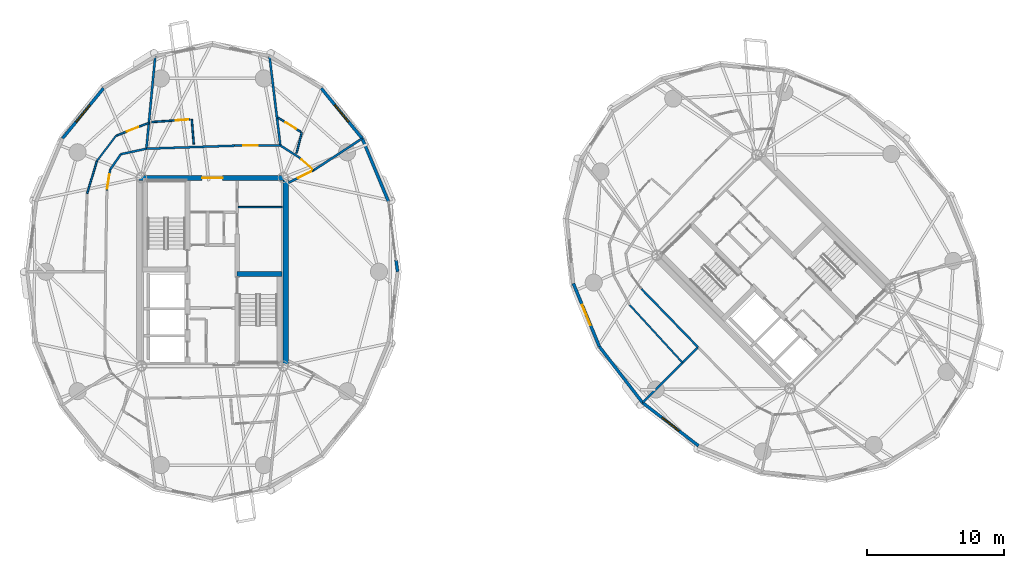
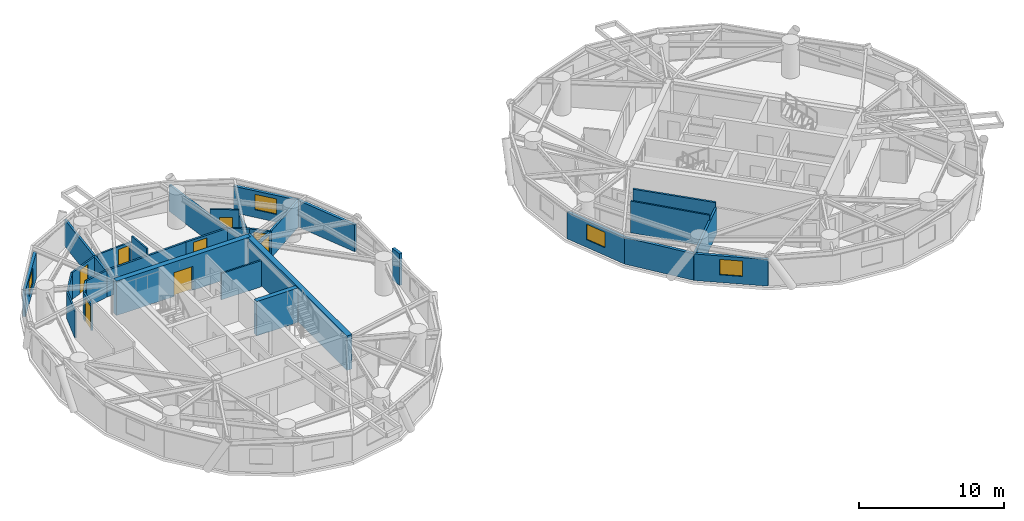
# One storey, part 11 of 17: 32 walls, 8 doors, 4 windows, 12 openings.
"""IFC4 building model written with IfcOpenShell, lengths in metres."""

from ifc_helpers import new_model, si_unit, direction, frame, frame_2d, origin, place, context, subcontext, project, spatial, rectangle, extrude, source, transform, mapped, material, layer, layer_set, type_object, element, fill, save


model = new_model("IFC4")

# Units and contexts
model_context = context("Model", 3, precision=1e-05, world=origin(), true_north=direction((0.0, 1.0)))
body_context = subcontext(model_context, "Body", "Model", "MODEL_VIEW")
ifc_project = project(units=[si_unit("LENGTHUNIT", "METRE"), si_unit("AREAUNIT", "SQUARE_METRE"), si_unit("VOLUMEUNIT", "CUBIC_METRE"), si_unit("PLANEANGLEUNIT", "RADIAN"), si_unit("MASSUNIT", "GRAM", prefix="KILO")], contexts=[model_context])

# Site, building, storey
site_placement = place(None, origin())
site = spatial("IfcSite", under=ifc_project, at=site_placement, CompositionType="ELEMENT")
building_placement = place(site_placement, origin())
building = spatial("IfcBuilding", under=site, at=building_placement, Name="Cununo Teusaquillo Station Towers", CompositionType="ELEMENT")
storey_placement = place(building_placement, frame((0.0, 0.0, 183.610107421875)))
storey = spatial("IfcBuildingStorey", under=building, at=storey_placement, Name="L58", CompositionType="ELEMENT", Elevation=183.610107421875)

# Walls
ifc_material_1 = material(Name="Concrete C50/60", Category="concrete")
ifc_layer_1 = layer(ifc_material_1, 0.35009765625)
ifc_layer_set_1 = layer_set([ifc_layer_1], Name="Concrete C50/60")
wall_type_1 = type_object("IfcWallType", Name="WL-CORE-350", PredefinedType="SHEAR", material=ifc_layer_set_1)
wall_1_placement = place(storey_placement, frame((18.31494140625, 24.344970703125, 0.0), z_axis=(0.0, 0.0, 1.0), x_axis=(1.0, 0.0, 0.0)))
element("IfcWall", 1, at=wall_1_placement, inside=storey, type_object=wall_type_1, Name="L58 Tower A Core Shear Wall ST2N", PredefinedType="SHEAR", context=body_context, shape_type="SweptSolid", body=[
    extrude(rectangle(XDim=3.28515625, YDim=0.35009765625, at=frame_2d((1.642578125, 0.0))), origin(), (0.0, 0.0, 1.0), 2.909912109375),
])
ifc_material_2 = material(Name="Concrete C50/60", Category="concrete")
ifc_layer_2 = layer(ifc_material_2, 0.39990234375)
ifc_layer_set_2 = layer_set([ifc_layer_2], Name="Concrete C50/60")
wall_type_2 = type_object("IfcWallType", Name="WL-CORE-400", PredefinedType="SHEAR", material=ifc_layer_set_2)
wall_2_placement = place(storey_placement, frame((21.85009765625, 17.449951171875, 0.0), z_axis=(0.0, 0.0, 1.0), x_axis=(0.0, 1.0, 0.0)))
element("IfcWall", 2, at=wall_2_placement, inside=storey, type_object=wall_type_2, Name="L58 Tower A Core Shear Wall E", PredefinedType="SHEAR", context=body_context, shape_type="SweptSolid", body=[
    extrude(rectangle(XDim=14.10009765625, YDim=0.39990234375, at=frame_2d((7.050048828125, 0.0))), origin(), (0.0, 0.0, 1.0), 2.909912109375),
])

# Wall, opening, door
wall_3_placement = place(storey_placement, frame((11.14990234375, 31.35009765625, 0.0), z_axis=(0.0, 0.0, 1.0), x_axis=(1.0, 0.0, 0.0)))
wall_3 = element("IfcWall", 3, at=wall_3_placement, inside=storey, type_object=wall_type_2, Name="L58 Tower A Core Shear Wall N", PredefinedType="SHEAR", context=body_context, shape_type="SweptSolid", body=[
    extrude(rectangle(XDim=10.7001953125, YDim=0.39990234375, at=frame_2d((5.35009765625, 0.0))), origin(), (0.0, 0.0, 1.0), 2.909912109375),
])
shared_shape_1 = source(origin(), body_context, "Body", "SweptSolid", [
    extrude(rectangle(XDim=1.5, YDim=2.02001953125, at=frame_2d((0.75, 1.010009765625))), frame((0.0, 0.2099609375, 0.0), z_axis=(0.0, -1.0, 0.0), x_axis=(1.0, 0.0, 0.0)), (0.0, 0.0, 1.0), 0.419921875),
])
opening_1_placement = place(wall_3_placement, frame((4.60009765625, 0.0, 0.0)))
opening_1 = element("IfcOpeningElement", 4, at=opening_1_placement, cuts=wall_3, Name="Opening D-LB1", PredefinedType="OPENING", context=body_context, shape_type="MappedRepresentation", body=[
    mapped(shared_shape_1, transform((0.0, 0.0, 0.0), x_axis=(1.0, 0.0, 0.0), y_axis=(0.0, 1.0, 0.0), z_axis=(0.0, 0.0, 1.0), scale=1.0)),
])
ifc_material_3 = material(Name="Galvanised fire-rated hollow steel door assembly", Category="steel")
door_type_1 = type_object("IfcDoorType", Name="DR-LOBBY-1500", OperationType="DOUBLE_DOOR_SINGLE_SWING", PredefinedType="DOOR", material=ifc_material_3)
shared_shape_2 = source(origin(), body_context, "Body", "SweptSolid", [
    extrude(rectangle(XDim=1.5, YDim=2.02001953125, at=frame_2d((0.75, 1.010009765625))), frame((0.0, 0.02490234375, 0.0), z_axis=(0.0, -1.0, 0.0), x_axis=(1.0, 0.0, 0.0)), (0.0, 0.0, 1.0), 0.050048828125),
])
door_1_placement = place(opening_1_placement, origin())
door_1 = element("IfcDoor", 5, at=door_1_placement, inside=storey, type_object=door_type_1, Name="L58 Tower A North Core Lift Lobby Door", OperationType="DOUBLE_DOOR_SINGLE_SWING", OverallHeight=2.02001953125, OverallWidth=1.5, PredefinedType="DOOR", context=body_context, shape_type="MappedRepresentation", body=[
    mapped(shared_shape_2, transform((0.0, 0.0, 0.0), x_axis=(1.0, 0.0, 0.0), y_axis=(0.0, 1.0, 0.0), z_axis=(0.0, 0.0, 1.0), scale=1.0)),
])
fill(opening_1, door_1)

# Walls
ifc_material_4 = material(Name="Precast concrete C40/50", Category="concrete")
ifc_layer_3 = layer(ifc_material_4, 0.219970703125)
ifc_layer_set_3 = layer_set([ifc_layer_3], Name="Precast concrete C40/50")
wall_type_3 = type_object("IfcWallType", Name="WL-EXT-220", PredefinedType="SOLIDWALL", material=ifc_layer_set_3)
wall_4_placement = place(storey_placement, frame((29.91943359375, 25.36279296875, 0.0), z_axis=(0.0, 0.0, 1.0), x_axis=(0.128247365719, -0.991742211054, 0.0)))
element("IfcWall", 6, at=wall_4_placement, inside=storey, type_object=wall_type_3, Name="L58 Tower A Column Pier Cladding Wall C00-PB", PredefinedType="SOLIDWALL", context=body_context, shape_type="SweptSolid", body=[
    extrude(rectangle(XDim=0.869873046875, YDim=0.219970703125, at=frame_2d((0.43505859375, 0.0))), origin(), (0.0, 0.0, 1.0), 2.6748046875),
])
wall_5_placement = place(storey_placement, frame((27.44677734375, 34.239501953125, 0.0), z_axis=(0.0, 0.0, 1.0), x_axis=(0.384144094086, -0.923273152961, 0.0)))
element("IfcWall", 7, at=wall_5_placement, inside=storey, type_object=wall_type_3, Name="L58 Tower A Exterior Facade Wall C01", PredefinedType="SOLIDWALL", context=body_context, shape_type="SweptSolid", body=[
    extrude(rectangle(XDim=5.0029296875, YDim=0.219970703125, at=frame_2d((2.50146484375, 0.0))), origin(), (0.0, 0.0, 1.0), 2.244873046875),
])

# Wall, opening, window
wall_6_placement = place(storey_placement, frame((24.453369140625, 37.905517578125, 0.0), z_axis=(0.0, 0.0, 1.0), x_axis=(0.632470615287, -0.774584353572, 0.0)))
wall_6 = element("IfcWall", 8, at=wall_6_placement, inside=storey, type_object=wall_type_3, Name="L58 Tower A Exterior Facade Wall C02", PredefinedType="SOLIDWALL", context=body_context, shape_type="SweptSolid", body=[
    extrude(rectangle(XDim=4.73291015625, YDim=0.219970703125, at=frame_2d((2.366455078125, 0.0))), origin(), (0.0, 0.0, 1.0), 2.244873046875),
])
shared_shape_3 = source(origin(), body_context, "Body", "SweptSolid", [
    extrude(rectangle(XDim=1.60009765625, YDim=1.300048828125, at=frame_2d((0.800048828125, 0.64990234375))), frame((0.0, 0.119873046875, 0.0), z_axis=(0.0, -1.0, 0.0), x_axis=(1.0, 0.0, 0.0)), (0.0, 0.0, 1.0), 0.239990234375),
])
opening_2_placement = place(wall_6_placement, frame((1.56591796875, 0.0, 0.64990234375)))
opening_2 = element("IfcOpeningElement", 9, at=opening_2_placement, cuts=wall_6, Name="Opening WN-03", PredefinedType="OPENING", context=body_context, shape_type="MappedRepresentation", body=[
    mapped(shared_shape_3, transform((0.0, 0.0, 0.0), x_axis=(1.0, 0.0, 0.0), y_axis=(0.0, 1.0, 0.0), z_axis=(0.0, 0.0, 1.0), scale=1.0)),
])
ifc_material_5 = material(Name="Ceramic-fritted dark low-E double glazing", Category="glass")
window_type = type_object("IfcWindowType", Name="WIN-CORN-1600", PartitioningType="SINGLE_PANEL", PredefinedType="WINDOW", material=ifc_material_5)
shared_shape_4 = source(origin(), body_context, "Body", "SweptSolid", [
    extrude(rectangle(XDim=1.60009765625, YDim=1.300048828125, at=frame_2d((0.800048828125, 0.64990234375))), frame((0.0, 0.030029296875, 0.0), z_axis=(0.0, -1.0, 0.0), x_axis=(1.0, 0.0, 0.0)), (0.0, 0.0, 1.0), 0.06005859375),
])
window_1_placement = place(opening_2_placement, origin())
window_1 = element("IfcWindow", 10, at=window_1_placement, inside=storey, type_object=window_type, Name="L58 Tower A Facade Window C02", OverallHeight=1.300048828125, OverallWidth=1.60009765625, PartitioningType="SINGLE_PANEL", PredefinedType="WINDOW", context=body_context, shape_type="MappedRepresentation", body=[
    mapped(shared_shape_4, transform((0.0, 0.0, 0.0), x_axis=(1.0, 0.0, 0.0), y_axis=(0.0, 1.0, 0.0), z_axis=(0.0, 0.0, 1.0), scale=1.0)),
])
fill(opening_2, window_1)

wall_7_placement = place(storey_placement, frame((5.55322265625, 34.239501953125, 0.0), z_axis=(0.0, 0.0, 1.0), x_axis=(0.632470615287, 0.774584353572, 0.0)))
wall_7 = element("IfcWall", 11, at=wall_7_placement, inside=storey, type_object=wall_type_3, Name="L58 Tower A Exterior Facade Wall C07", PredefinedType="SOLIDWALL", context=body_context, shape_type="SweptSolid", body=[
    extrude(rectangle(XDim=4.73291015625, YDim=0.219970703125, at=frame_2d((2.366455078125, 0.0))), origin(), (0.0, 0.0, 1.0), 2.244873046875),
])
opening_3_placement = place(wall_7_placement, frame((1.56591796875, 0.0, 0.64990234375)))
opening_3 = element("IfcOpeningElement", 12, at=opening_3_placement, cuts=wall_7, Name="Opening WN-03", PredefinedType="OPENING", context=body_context, shape_type="MappedRepresentation", body=[
    mapped(shared_shape_3, transform((0.0, 0.0, 0.0), x_axis=(1.0, 0.0, 0.0), y_axis=(0.0, 1.0, 0.0), z_axis=(0.0, 0.0, 1.0), scale=1.0)),
])
window_2_placement = place(opening_3_placement, origin())
window_2 = element("IfcWindow", 13, at=window_2_placement, inside=storey, type_object=window_type, Name="L58 Tower A Facade Window C07", OverallHeight=1.300048828125, OverallWidth=1.60009765625, PartitioningType="SINGLE_PANEL", PredefinedType="WINDOW", context=body_context, shape_type="MappedRepresentation", body=[
    mapped(shared_shape_4, transform((0.0, 0.0, 0.0), x_axis=(1.0, 0.0, 0.0), y_axis=(0.0, 1.0, 0.0), z_axis=(0.0, 0.0, 1.0), scale=1.0)),
])
fill(opening_3, window_2)

wall_8_placement = place(storey_placement, frame((44.77978515625, 19.02099609375, 0.0), z_axis=(0.0, 0.0, 1.0), x_axis=(-0.381196434348, 0.924494066201, 0.0)))
wall_8 = element("IfcWall", 14, at=wall_8_placement, inside=storey, type_object=wall_type_3, Name="L58 Tower B Exterior Facade Wall C08", PredefinedType="SOLIDWALL", context=body_context, shape_type="SweptSolid", body=[
    extrude(rectangle(XDim=5.003173828125, YDim=0.219970703125, at=frame_2d((2.50146484375, 0.0))), origin(), (0.0, 0.0, 1.0), 2.244873046875),
])
opening_4_placement = place(wall_8_placement, frame((1.701904296875, 0.0, 0.64990234375)))
opening_4 = element("IfcOpeningElement", 15, at=opening_4_placement, cuts=wall_8, Name="Opening WN-03", PredefinedType="OPENING", context=body_context, shape_type="MappedRepresentation", body=[
    mapped(shared_shape_3, transform((0.0, 0.0, 0.0), x_axis=(1.0, 0.0, 0.0), y_axis=(0.0, 1.0, 0.0), z_axis=(0.0, 0.0, 1.0), scale=1.0)),
])
window_3_placement = place(opening_4_placement, origin())
window_3 = element("IfcWindow", 16, at=window_3_placement, inside=storey, type_object=window_type, Name="L58 Tower B Facade Window C08", OverallHeight=1.300048828125, OverallWidth=1.60009765625, PartitioningType="SINGLE_PANEL", PredefinedType="WINDOW", context=body_context, shape_type="MappedRepresentation", body=[
    mapped(shared_shape_4, transform((0.0, 0.0, 0.0), x_axis=(1.0, 0.0, 0.0), y_axis=(0.0, 1.0, 0.0), z_axis=(0.0, 0.0, 1.0), scale=1.0)),
])
fill(opening_4, window_3)

# Wall
wall_9_placement = place(storey_placement, frame((47.93212890625, 14.93212890625, 0.0), z_axis=(0.0, 0.0, 1.0), x_axis=(-0.610569654715, 0.791962560189, 0.0)))
element("IfcWall", 17, at=wall_9_placement, inside=storey, type_object=wall_type_3, Name="L58 Tower B Exterior Facade Wall C09", PredefinedType="SOLIDWALL", context=body_context, shape_type="SweptSolid", body=[
    extrude(rectangle(XDim=5.162841796875, YDim=0.219970703125, at=frame_2d((2.58154296875, 0.0))), origin(), (0.0, 0.0, 1.0), 2.244873046875),
])

# Wall, opening, window
wall_10_placement = place(storey_placement, frame((52.02099609375, 11.77978515625, 0.0), z_axis=(0.0, 0.0, 1.0), x_axis=(-0.791962560189, 0.610569654715, 0.0)))
wall_10 = element("IfcWall", 18, at=wall_10_placement, inside=storey, type_object=wall_type_3, Name="L58 Tower B Exterior Facade Wall C10", PredefinedType="SOLIDWALL", context=body_context, shape_type="SweptSolid", body=[
    extrude(rectangle(XDim=5.162841796875, YDim=0.219970703125, at=frame_2d((2.58154296875, 0.0))), origin(), (0.0, 0.0, 1.0), 2.244873046875),
])
opening_5_placement = place(wall_10_placement, frame((1.781982421875, 0.0, 0.64990234375)))
opening_5 = element("IfcOpeningElement", 19, at=opening_5_placement, cuts=wall_10, Name="Opening WN-03", PredefinedType="OPENING", context=body_context, shape_type="MappedRepresentation", body=[
    mapped(shared_shape_3, transform((0.0, 0.0, 0.0), x_axis=(1.0, 0.0, 0.0), y_axis=(0.0, 1.0, 0.0), z_axis=(0.0, 0.0, 1.0), scale=1.0)),
])
window_4_placement = place(opening_5_placement, origin())
window_4 = element("IfcWindow", 20, at=window_4_placement, inside=storey, type_object=window_type, Name="L58 Tower B Facade Window C10", OverallHeight=1.300048828125, OverallWidth=1.60009765625, PartitioningType="SINGLE_PANEL", PredefinedType="WINDOW", context=body_context, shape_type="MappedRepresentation", body=[
    mapped(shared_shape_4, transform((0.0, 0.0, 0.0), x_axis=(1.0, 0.0, 0.0), y_axis=(0.0, 1.0, 0.0), z_axis=(0.0, 0.0, 1.0), scale=1.0)),
])
fill(opening_5, window_4)

# Walls
ifc_material_6 = material(Name="Fire-rated gypsum plasterboard partition assembly", Category="gypsum")
ifc_layer_4 = layer(ifc_material_6, 0.125)
ifc_layer_set_4 = layer_set([ifc_layer_4], Name="Fire-rated gypsum plasterboard partition assembly")
wall_type_4 = type_object("IfcWallType", Name="WL-PART-125", PredefinedType="PARTITIONING", material=ifc_layer_set_4)
wall_11_placement = place(storey_placement, frame((18.3798828125, 29.219970703125, 0.0), z_axis=(0.0, 0.0, 1.0), x_axis=(1.0, 0.0, 0.0)))
element("IfcWall", 21, at=wall_11_placement, inside=storey, type_object=wall_type_4, Name="L58 Tower A Reclaimed Bay Divider Wall", PredefinedType="PARTITIONING", context=body_context, shape_type="SweptSolid", body=[
    extrude(rectangle(XDim=3.22021484375, YDim=0.125, at=frame_2d((1.610107421875, 0.0))), origin(), (0.0, 0.0, 1.0), 2.2119140625),
])
wall_12_placement = place(storey_placement, frame((22.6494140625, 33.1572265625, 0.0), z_axis=(0.0, 0.0, 1.0), x_axis=(0.242461964074, 0.970160912415, 0.0)))
element("IfcWall", 22, at=wall_12_placement, inside=storey, type_object=wall_type_4, Name="L58 Tower A S01 En-suite Side Wall", PredefinedType="PARTITIONING", context=body_context, shape_type="SweptSolid", body=[
    extrude(rectangle(XDim=1.559814453125, YDim=0.125, at=frame_2d((0.77978515625, 0.0))), origin(), (0.0, 0.0, 1.0), 2.244873046875),
])

# Wall, opening, door
wall_13_placement = place(storey_placement, frame((22.974853515625, 34.70361328125, 0.0), z_axis=(0.0, 0.0, 1.0), x_axis=(-0.84683355027, 0.531858005615, 0.0)))
wall_13 = element("IfcWall", 23, at=wall_13_placement, inside=storey, type_object=wall_type_4, Name="L58 Tower A S01 En-suite Back Wall", PredefinedType="PARTITIONING", context=body_context, shape_type="SweptSolid", body=[
    extrude(rectangle(XDim=1.99365234375, YDim=0.125, at=frame_2d((0.996826171875, 0.0))), origin(), (0.0, 0.0, 1.0), 2.6748046875),
])
shared_shape_5 = source(origin(), body_context, "Body", "SweptSolid", [
    extrude(rectangle(XDim=0.89990234375, YDim=2.0048828125, at=frame_2d((0.449951171875, 1.00244140625))), frame((0.0, 0.072509765625, 0.0), z_axis=(0.0, -1.0, 0.0), x_axis=(1.0, 0.0, 0.0)), (0.0, 0.0, 1.0), 0.14501953125),
])
opening_6_placement = place(wall_13_placement, frame((0.440185546875, 0.0, 0.0)))
opening_6 = element("IfcOpeningElement", 24, at=opening_6_placement, cuts=wall_13, Name="Opening D-IN1", PredefinedType="OPENING", context=body_context, shape_type="MappedRepresentation", body=[
    mapped(shared_shape_5, transform((0.0, 0.0, 0.0), x_axis=(1.0, 0.0, 0.0), y_axis=(0.0, 1.0, 0.0), z_axis=(0.0, 0.0, 1.0), scale=1.0)),
])
ifc_material_7 = material(Name="Acoustic solid-core hardwood leaf assembly", Category="wood")
door_type_2 = type_object("IfcDoorType", Name="DR-INT-900", OperationType="NOTDEFINED", PredefinedType="DOOR", material=ifc_material_7)
shared_shape_6 = source(origin(), body_context, "Body", "SweptSolid", [
    extrude(rectangle(XDim=0.89990234375, YDim=2.0048828125, at=frame_2d((0.449951171875, 1.00244140625))), frame((0.0, 0.02490234375, 0.0), z_axis=(0.0, -1.0, 0.0), x_axis=(1.0, 0.0, 0.0)), (0.0, 0.0, 1.0), 0.050048828125),
])
door_2_placement = place(opening_6_placement, origin())
door_2 = element("IfcDoor", 25, at=door_2_placement, inside=storey, type_object=door_type_2, Name="L58 Tower A S01 En-suite Bathroom Door", OperationType="SINGLE_SWING_RIGHT", OverallHeight=2.0048828125, OverallWidth=0.89990234375, PredefinedType="DOOR", context=body_context, shape_type="MappedRepresentation", body=[
    mapped(shared_shape_6, transform((0.0, 0.0, 0.0), x_axis=(1.0, 0.0, 0.0), y_axis=(0.0, 1.0, 0.0), z_axis=(0.0, 0.0, 1.0), scale=1.0)),
])
fill(opening_6, door_2)

# Wall
wall_14_placement = place(storey_placement, frame((15.14208984375, 33.8203125, 0.0), z_axis=(0.0, 0.0, 1.0), x_axis=(-0.081791493646, 0.996649462734, 0.0)))
element("IfcWall", 26, at=wall_14_placement, inside=storey, type_object=wall_type_4, Name="L58 Tower A S02 En-suite Side Wall", PredefinedType="PARTITIONING", context=body_context, shape_type="SweptSolid", body=[
    extrude(rectangle(XDim=1.82080078125, YDim=0.125, at=frame_2d((0.910400390625, 0.0))), origin(), (0.0, 0.0, 1.0), 2.6748046875),
])

# Wall, opening, door
wall_15_placement = place(storey_placement, frame((14.848388671875, 35.625244140625, 0.0), z_axis=(0.0, 0.0, 1.0), x_axis=(-0.997750908336, -0.067030775874, 0.0)))
wall_15 = element("IfcWall", 27, at=wall_15_placement, inside=storey, type_object=wall_type_4, Name="L58 Tower A S02 En-suite Back Wall", PredefinedType="PARTITIONING", context=body_context, shape_type="SweptSolid", body=[
    extrude(rectangle(XDim=2.786376953125, YDim=0.125, at=frame_2d((1.39306640625, 0.0))), origin(), (0.0, 0.0, 1.0), 2.244873046875),
])
opening_7_placement = place(wall_15_placement, frame((0.1201171875, 0.0, 0.0)))
opening_7 = element("IfcOpeningElement", 28, at=opening_7_placement, cuts=wall_15, Name="Opening D-IN1", PredefinedType="OPENING", context=body_context, shape_type="MappedRepresentation", body=[
    mapped(shared_shape_5, transform((0.0, 0.0, 0.0), x_axis=(1.0, 0.0, 0.0), y_axis=(0.0, 1.0, 0.0), z_axis=(0.0, 0.0, 1.0), scale=1.0)),
])
door_3_placement = place(opening_7_placement, origin())
door_3 = element("IfcDoor", 29, at=door_3_placement, inside=storey, type_object=door_type_2, Name="L58 Tower A S02 En-suite Bathroom Door", OperationType="SINGLE_SWING_RIGHT", OverallHeight=2.0048828125, OverallWidth=0.89990234375, PredefinedType="DOOR", context=body_context, shape_type="MappedRepresentation", body=[
    mapped(shared_shape_6, transform((0.0, 0.0, 0.0), x_axis=(1.0, 0.0, 0.0), y_axis=(0.0, 1.0, 0.0), z_axis=(0.0, 0.0, 1.0), scale=1.0)),
])
fill(opening_7, door_3)

wall_16_placement = place(storey_placement, frame((11.861328125, 35.379638671875, 0.0), z_axis=(0.0, 0.0, 1.0), x_axis=(-0.930124609977, -0.367244074037, 0.0)))
wall_16 = element("IfcWall", 30, at=wall_16_placement, inside=storey, type_object=wall_type_4, Name="L58 Tower A Hotel Tea & Cigar Conservatory Concentric Partition Wall C06", PredefinedType="PARTITIONING", context=body_context, shape_type="SweptSolid", body=[
    extrude(rectangle(XDim=2.580810546875, YDim=0.125, at=frame_2d((1.29052734375, 0.0))), origin(), (0.0, 0.0, 1.0), 2.244873046875),
])
opening_8_placement = place(wall_16_placement, frame((0.84033203125, 0.0, 0.0)))
opening_8 = element("IfcOpeningElement", 31, at=opening_8_placement, cuts=wall_16, Name="Opening D-IN1", PredefinedType="OPENING", context=body_context, shape_type="MappedRepresentation", body=[
    mapped(shared_shape_5, transform((0.0, 0.0, 0.0), x_axis=(1.0, 0.0, 0.0), y_axis=(0.0, 1.0, 0.0), z_axis=(0.0, 0.0, 1.0), scale=1.0)),
])
door_4_placement = place(opening_8_placement, origin())
door_4 = element("IfcDoor", 32, at=door_4_placement, inside=storey, type_object=door_type_2, Name="L58 Tower A Hotel Tea & Cigar Conservatory Connecting Door", OperationType="SINGLE_SWING_RIGHT", OverallHeight=2.0048828125, OverallWidth=0.89990234375, PredefinedType="DOOR", context=body_context, shape_type="MappedRepresentation", body=[
    mapped(shared_shape_6, transform((0.0, 0.0, 0.0), x_axis=(1.0, 0.0, 0.0), y_axis=(0.0, 1.0, 0.0), z_axis=(0.0, 0.0, 1.0), scale=1.0)),
])
fill(opening_8, door_4)

# Walls
wall_17_placement = place(storey_placement, frame((9.4609375, 34.431884765625, 0.0), z_axis=(0.0, 0.0, 1.0), x_axis=(-0.605297668278, -0.795999204005, 0.0)))
element("IfcWall", 33, at=wall_17_placement, inside=storey, type_object=wall_type_4, Name="L58 Tower A Hotel Tea & Cigar Conservatory Concentric Partition Wall C07", PredefinedType="PARTITIONING", context=body_context, shape_type="SweptSolid", body=[
    extrude(rectangle(XDim=2.3095703125, YDim=0.125, at=frame_2d((1.15478515625, 0.0))), origin(), (0.0, 0.0, 1.0), 2.244873046875),
])
wall_18_placement = place(storey_placement, frame((8.06298828125, 32.593505859375, 0.0), z_axis=(0.0, 0.0, 1.0), x_axis=(-0.286473203627, -0.958088254601, 0.0)))
element("IfcWall", 34, at=wall_18_placement, inside=storey, type_object=wall_type_4, Name="L58 Tower A Hotel Tea & Cigar Conservatory Concentric Partition Wall C08", PredefinedType="PARTITIONING", context=body_context, shape_type="SweptSolid", body=[
    extrude(rectangle(XDim=2.484130859375, YDim=0.125, at=frame_2d((1.2421875, 0.0))), origin(), (0.0, 0.0, 1.0), 2.244873046875),
])
wall_19_placement = place(storey_placement, frame((46.990966796875, 22.07080078125, 0.0), z_axis=(0.0, 0.0, 1.0), x_axis=(0.675455872419, -0.737400409828, 0.0)))
element("IfcWall", 35, at=wall_19_placement, inside=storey, type_object=wall_type_4, Name="L58 Tower B Hotel Tea & Cigar Conservatory Concentric Partition Wall C09", PredefinedType="PARTITIONING", context=body_context, shape_type="SweptSolid", body=[
    extrude(rectangle(XDim=5.71875, YDim=0.125, at=frame_2d((2.859375, 0.0))), origin(), (0.0, 0.0, 1.0), 2.6748046875),
])

# Wall, opening, door
ifc_material_8 = material(Name="Fire-rated gypsum plasterboard partition assembly", Category="gypsum")
ifc_layer_5 = layer(ifc_material_8, 0.14990234375)
ifc_layer_set_5 = layer_set([ifc_layer_5], Name="Fire-rated gypsum plasterboard partition assembly")
wall_type_5 = type_object("IfcWallType", Name="WL-PART-150", PredefinedType="PARTITIONING", material=ifc_layer_set_5)
wall_20_placement = place(storey_placement, frame((23.886962890625, 31.90625, 0.0), z_axis=(0.0, 0.0, 1.0), x_axis=(-0.744900957214, 0.66717506244, 0.0)))
wall_20 = element("IfcWall", 36, at=wall_20_placement, inside=storey, type_object=wall_type_5, Name="L58 Tower A Corridor Ring Wall C02", PredefinedType="PARTITIONING", context=body_context, shape_type="SweptSolid", body=[
    extrude(rectangle(XDim=1.463623046875, YDim=0.14990234375, at=frame_2d((0.73193359375, 0.0))), origin(), (0.0, 0.0, 1.0), 2.244873046875),
])
shared_shape_7 = source(origin(), body_context, "Body", "SweptSolid", [
    extrude(rectangle(XDim=1.050048828125, YDim=2.014892578125, at=frame_2d((0.52490234375, 1.00732421875))), frame((0.0, 0.0849609375, 0.0), z_axis=(0.0, -1.0, 0.0), x_axis=(1.0, 0.0, 0.0)), (0.0, 0.0, 1.0), 0.169921875),
])
opening_9_placement = place(wall_20_placement, frame((0.1201171875, 0.0, 0.0)))
opening_9 = element("IfcOpeningElement", 37, at=opening_9_placement, cuts=wall_20, Name="Opening D-SU1", PredefinedType="OPENING", context=body_context, shape_type="MappedRepresentation", body=[
    mapped(shared_shape_7, transform((0.0, 0.0, 0.0), x_axis=(1.0, 0.0, 0.0), y_axis=(0.0, 1.0, 0.0), z_axis=(0.0, 0.0, 1.0), scale=1.0)),
])
ifc_material_9 = material(Name="Acoustic solid-core hardwood leaf assembly", Category="wood")
door_type_3 = type_object("IfcDoorType", Name="DR-SUITE-1050", OperationType="NOTDEFINED", PredefinedType="DOOR", material=ifc_material_9)
shared_shape_8 = source(origin(), body_context, "Body", "SweptSolid", [
    extrude(rectangle(XDim=1.050048828125, YDim=2.014892578125, at=frame_2d((0.52490234375, 1.00732421875))), frame((0.0, 0.02490234375, 0.0), z_axis=(0.0, -1.0, 0.0), x_axis=(1.0, 0.0, 0.0)), (0.0, 0.0, 1.0), 0.050048828125),
])
door_5_placement = place(opening_9_placement, origin())
door_5 = element("IfcDoor", 38, at=door_5_placement, inside=storey, type_object=door_type_3, Name="L58 Tower A Summit Club Hotel Suite Entrance Door", OperationType="SINGLE_SWING_LEFT", OverallHeight=2.014892578125, OverallWidth=1.050048828125, PredefinedType="DOOR", context=body_context, shape_type="MappedRepresentation", body=[
    mapped(shared_shape_8, transform((0.0, 0.0, 0.0), x_axis=(1.0, 0.0, 0.0), y_axis=(0.0, 1.0, 0.0), z_axis=(0.0, 0.0, 1.0), scale=1.0)),
])
fill(opening_9, door_5)

# Wall
wall_21_placement = place(storey_placement, frame((22.796630859375, 32.8828125, 0.0), z_axis=(0.0, 0.0, 1.0), x_axis=(-0.84484009232, 0.535018895375, 0.0)))
element("IfcWall", 39, at=wall_21_placement, inside=storey, type_object=wall_type_5, Name="L58 Tower A Corridor Ring Wall C03", PredefinedType="PARTITIONING", context=body_context, shape_type="SweptSolid", body=[
    extrude(rectangle(XDim=1.5751953125, YDim=0.14990234375, at=frame_2d((0.78759765625, 0.0))), origin(), (0.0, 0.0, 1.0), 2.244873046875),
])

# Wall, opening, door
wall_22_placement = place(storey_placement, frame((21.4658203125, 33.7255859375, 0.0), z_axis=(0.0, 0.0, 1.0), x_axis=(-0.99998838579, -0.004819573058, 0.0)))
wall_22 = element("IfcWall", 40, at=wall_22_placement, inside=storey, type_object=wall_type_5, Name="L58 Tower A Corridor Ring Wall C04", PredefinedType="PARTITIONING", context=body_context, shape_type="SweptSolid", body=[
    extrude(rectangle(XDim=3.34326171875, YDim=0.14990234375, at=frame_2d((1.671630859375, 0.0))), origin(), (0.0, 0.0, 1.0), 2.244873046875),
])
opening_10_placement = place(wall_22_placement, frame((1.659912109375, 0.0, 0.0)))
opening_10 = element("IfcOpeningElement", 41, at=opening_10_placement, cuts=wall_22, Name="Opening D-SU1", PredefinedType="OPENING", context=body_context, shape_type="MappedRepresentation", body=[
    mapped(shared_shape_7, transform((0.0, 0.0, 0.0), x_axis=(1.0, 0.0, 0.0), y_axis=(0.0, 1.0, 0.0), z_axis=(0.0, 0.0, 1.0), scale=1.0)),
])
door_6_placement = place(opening_10_placement, origin())
door_6 = element("IfcDoor", 42, at=door_6_placement, inside=storey, type_object=door_type_3, Name="L58 Tower A Savanna View Hotel Suite Entrance Door", OperationType="SINGLE_SWING_LEFT", OverallHeight=2.014892578125, OverallWidth=1.050048828125, PredefinedType="DOOR", context=body_context, shape_type="MappedRepresentation", body=[
    mapped(shared_shape_8, transform((0.0, 0.0, 0.0), x_axis=(1.0, 0.0, 0.0), y_axis=(0.0, 1.0, 0.0), z_axis=(0.0, 0.0, 1.0), scale=1.0)),
])
fill(opening_10, door_6)

# Walls
wall_23_placement = place(storey_placement, frame((18.12255859375, 33.70947265625, 0.0), z_axis=(0.0, 0.0, 1.0), x_axis=(-0.999417459976, -0.034128297572, 0.0)))
element("IfcWall", 43, at=wall_23_placement, inside=storey, type_object=wall_type_5, Name="L58 Tower A Corridor Ring Wall C05", PredefinedType="PARTITIONING", context=body_context, shape_type="SweptSolid", body=[
    extrude(rectangle(XDim=6.4453125, YDim=0.14990234375, at=frame_2d((3.22265625, 0.0))), origin(), (0.0, 0.0, 1.0), 2.244873046875),
])
wall_24_placement = place(storey_placement, frame((11.680908203125, 33.489501953125, 0.0), z_axis=(0.0, 0.0, 1.0), x_axis=(-0.977628265995, -0.2103401377, 0.0)))
element("IfcWall", 44, at=wall_24_placement, inside=storey, type_object=wall_type_5, Name="L58 Tower A Corridor Ring Wall C06", PredefinedType="PARTITIONING", context=body_context, shape_type="SweptSolid", body=[
    extrude(rectangle(XDim=1.91162109375, YDim=0.14990234375, at=frame_2d((0.955810546875, 0.0))), origin(), (0.0, 0.0, 1.0), 2.244873046875),
])
wall_25_placement = place(storey_placement, frame((9.81201171875, 33.08740234375, 0.0), z_axis=(0.0, 0.0, 1.0), x_axis=(-0.567811958729, -0.823158295545, 0.0)))
element("IfcWall", 45, at=wall_25_placement, inside=storey, type_object=wall_type_5, Name="L58 Tower A Corridor Ring Wall C07", PredefinedType="PARTITIONING", context=body_context, shape_type="SweptSolid", body=[
    extrude(rectangle(XDim=1.3720703125, YDim=0.14990234375, at=frame_2d((0.68603515625, 0.0))), origin(), (0.0, 0.0, 1.0), 2.244873046875),
])

# Wall, opening, door
wall_26_placement = place(storey_placement, frame((9.032958984375, 31.9580078125, 0.0), z_axis=(0.0, 0.0, 1.0), x_axis=(-0.158344987388, -0.98738384885, 0.0)))
wall_26 = element("IfcWall", 46, at=wall_26_placement, inside=storey, type_object=wall_type_5, Name="L58 Tower A Corridor Ring Wall C08", PredefinedType="PARTITIONING", context=body_context, shape_type="SweptSolid", body=[
    extrude(rectangle(XDim=1.531005859375, YDim=0.14990234375, at=frame_2d((0.765625, 0.0))), origin(), (0.0, 0.0, 1.0), 2.244873046875),
])
opening_11_placement = place(wall_26_placement, frame((0.36083984375, 0.0, 0.0)))
opening_11 = element("IfcOpeningElement", 47, at=opening_11_placement, cuts=wall_26, Name="Opening D-SU1", PredefinedType="OPENING", context=body_context, shape_type="MappedRepresentation", body=[
    mapped(shared_shape_7, transform((0.0, 0.0, 0.0), x_axis=(1.0, 0.0, 0.0), y_axis=(0.0, 1.0, 0.0), z_axis=(0.0, 0.0, 1.0), scale=1.0)),
])
door_7_placement = place(opening_11_placement, origin())
door_7 = element("IfcDoor", 48, at=door_7_placement, inside=storey, type_object=door_type_3, Name="L58 Tower A Hotel Tea & Cigar Conservatory Entrance Door", OperationType="SINGLE_SWING_LEFT", OverallHeight=2.014892578125, OverallWidth=1.050048828125, PredefinedType="DOOR", context=body_context, shape_type="MappedRepresentation", body=[
    mapped(shared_shape_8, transform((0.0, 0.0, 0.0), x_axis=(1.0, 0.0, 0.0), y_axis=(0.0, 1.0, 0.0), z_axis=(0.0, 0.0, 1.0), scale=1.0)),
])
fill(opening_11, door_7)

# Walls
wall_27_placement = place(storey_placement, frame((47.843994140625, 23.25341796875, 0.0), z_axis=(0.0, 0.0, 1.0), x_axis=(0.696248411352, -0.717800912293, 0.0)))
element("IfcWall", 49, at=wall_27_placement, inside=storey, type_object=wall_type_5, Name="L58 Tower B Corridor Ring Wall C09", PredefinedType="PARTITIONING", context=body_context, shape_type="SweptSolid", body=[
    extrude(rectangle(XDim=5.947021484375, YDim=0.14990234375, at=frame_2d((2.9736328125, 0.0))), origin(), (0.0, 0.0, 1.0), 2.6748046875),
])
ifc_material_10 = material(Name="Fire-rated gypsum plasterboard partition assembly", Category="gypsum")
ifc_layer_6 = layer(ifc_material_10, 0.159912109375)
ifc_layer_set_6 = layer_set([ifc_layer_6], Name="Fire-rated gypsum plasterboard partition assembly")
wall_type_6 = type_object("IfcWallType", Name="WL-PART-160", PredefinedType="PARTITIONING", material=ifc_layer_set_6)
wall_28_placement = place(storey_placement, frame((23.886962890625, 31.90625, 0.0), z_axis=(0.0, 0.0, 1.0), x_axis=(0.836482991446, 0.547992887748, 0.0)))
element("IfcWall", 50, at=wall_28_placement, inside=storey, type_object=wall_type_6, Name="L58 Tower A Radial Suite Partition R01", PredefinedType="PARTITIONING", context=body_context, shape_type="SweptSolid", body=[
    extrude(rectangle(XDim=4.236328125, YDim=0.159912109375, at=frame_2d((2.1181640625, 0.0))), origin(), (0.0, 0.0, 1.0), 2.244873046875),
])
wall_29_placement = place(storey_placement, frame((21.4658203125, 33.7255859375, 0.0), z_axis=(0.0, 0.0, 1.0), x_axis=(-0.12050358126, 0.992712892484, 0.0)))
element("IfcWall", 51, at=wall_29_placement, inside=storey, type_object=wall_type_6, Name="L58 Tower A Radial Suite Partition R02", PredefinedType="PARTITIONING", context=body_context, shape_type="SweptSolid", body=[
    extrude(rectangle(XDim=6.562255859375, YDim=0.159912109375, at=frame_2d((3.28125, 0.0))), origin(), (0.0, 0.0, 1.0), 2.244873046875),
])
wall_30_placement = place(storey_placement, frame((11.680908203125, 33.489501953125, 0.0), z_axis=(0.0, 0.0, 1.0), x_axis=(0.094975594504, 0.995479601222, 0.0)))
element("IfcWall", 52, at=wall_30_placement, inside=storey, type_object=wall_type_6, Name="L58 Tower A Radial Suite Partition R03", PredefinedType="PARTITIONING", context=body_context, shape_type="SweptSolid", body=[
    extrude(rectangle(XDim=6.78125, YDim=0.159912109375, at=frame_2d((3.390625, 0.0))), origin(), (0.0, 0.0, 1.0), 2.244873046875),
])

# Wall, opening, door
wall_31_placement = place(storey_placement, frame((22.050048828125, 31.0, 0.0), z_axis=(0.0, 0.0, 1.0), x_axis=(0.896798317999, 0.442439574218, 0.0)))
wall_31 = element("IfcWall", 53, at=wall_31_placement, inside=storey, type_object=wall_type_6, Name="L58 Tower A East Salon Corridor Portal Wall NE", PredefinedType="PARTITIONING", context=body_context, shape_type="SweptSolid", body=[
    extrude(rectangle(XDim=2.04833984375, YDim=0.159912109375, at=frame_2d((1.024169921875, 0.0))), origin(), (0.0, 0.0, 1.0), 2.244873046875),
])
shared_shape_9 = source(origin(), body_context, "Body", "SweptSolid", [
    extrude(rectangle(XDim=1.050048828125, YDim=2.014892578125, at=frame_2d((0.52490234375, 1.00732421875))), frame((0.0, 0.08984375, 0.0), z_axis=(0.0, -1.0, 0.0), x_axis=(1.0, 0.0, 0.0)), (0.0, 0.0, 1.0), 0.179931640625),
])
opening_12_placement = place(wall_31_placement, frame((0.79833984375, 0.0, 0.0)))
opening_12 = element("IfcOpeningElement", 54, at=opening_12_placement, cuts=wall_31, Name="Opening D-SU1", PredefinedType="OPENING", context=body_context, shape_type="MappedRepresentation", body=[
    mapped(shared_shape_9, transform((0.0, 0.0, 0.0), x_axis=(1.0, 0.0, 0.0), y_axis=(0.0, 1.0, 0.0), z_axis=(0.0, 0.0, 1.0), scale=1.0)),
])
door_8_placement = place(opening_12_placement, origin())
door_8 = element("IfcDoor", 55, at=door_8_placement, inside=storey, type_object=door_type_3, Name="L58 Tower A East Panorama Sky Salon Door NE", OperationType="SINGLE_SWING_LEFT", OverallHeight=2.014892578125, OverallWidth=1.050048828125, PredefinedType="DOOR", context=body_context, shape_type="MappedRepresentation", body=[
    mapped(shared_shape_8, transform((0.0, 0.0, 0.0), x_axis=(1.0, 0.0, 0.0), y_axis=(0.0, 1.0, 0.0), z_axis=(0.0, 0.0, 1.0), scale=1.0)),
])
fill(opening_12, door_8)

# Wall
wall_32_placement = place(storey_placement, frame((51.984619140625, 18.984619140625, 0.0), z_axis=(0.0, 0.0, 1.0), x_axis=(-0.707106781187, -0.707106781187, 0.0)))
element("IfcWall", 56, at=wall_32_placement, inside=storey, type_object=wall_type_6, Name="L58 Tower B Radial Suite Partition R04", PredefinedType="PARTITIONING", context=body_context, shape_type="SweptSolid", body=[
    extrude(rectangle(XDim=5.711181640625, YDim=0.159912109375, at=frame_2d((2.85546875, 0.0))), origin(), (0.0, 0.0, 1.0), 2.244873046875),
])

save(model, "model.ifc")
